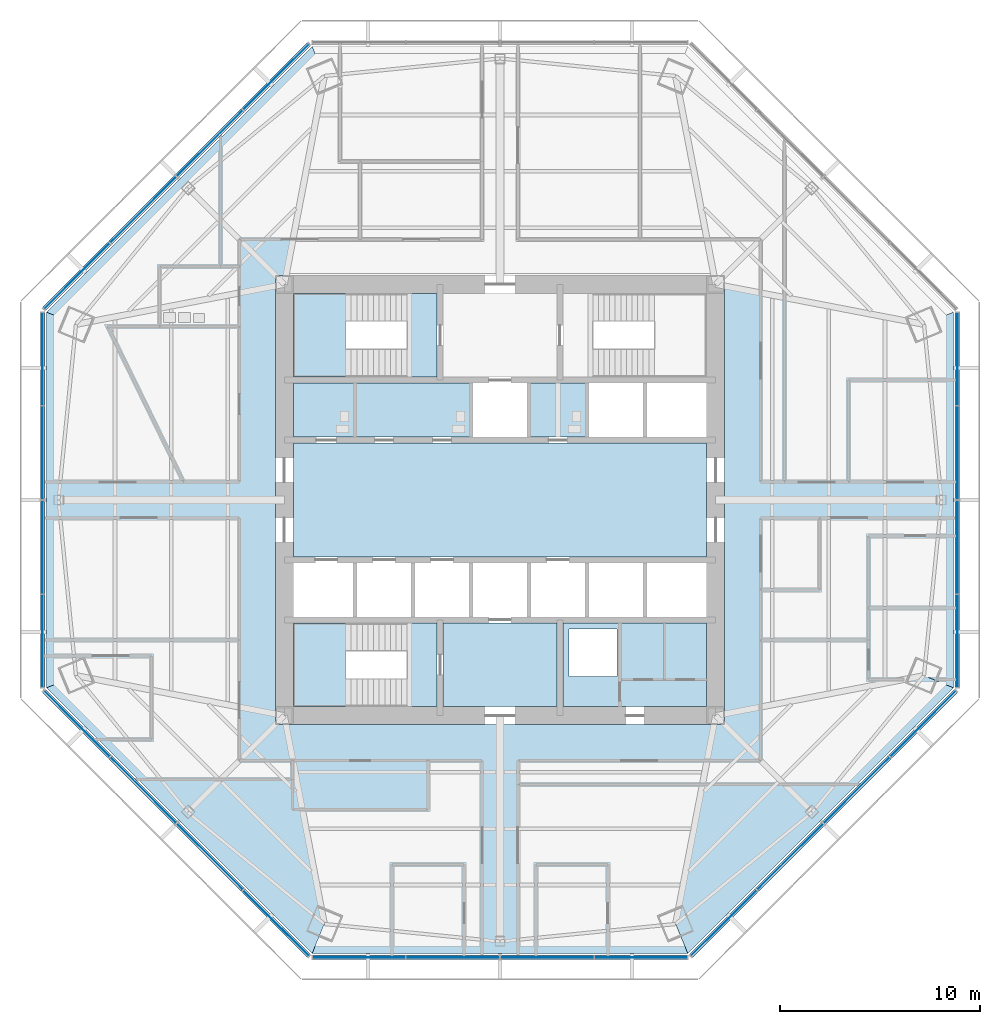
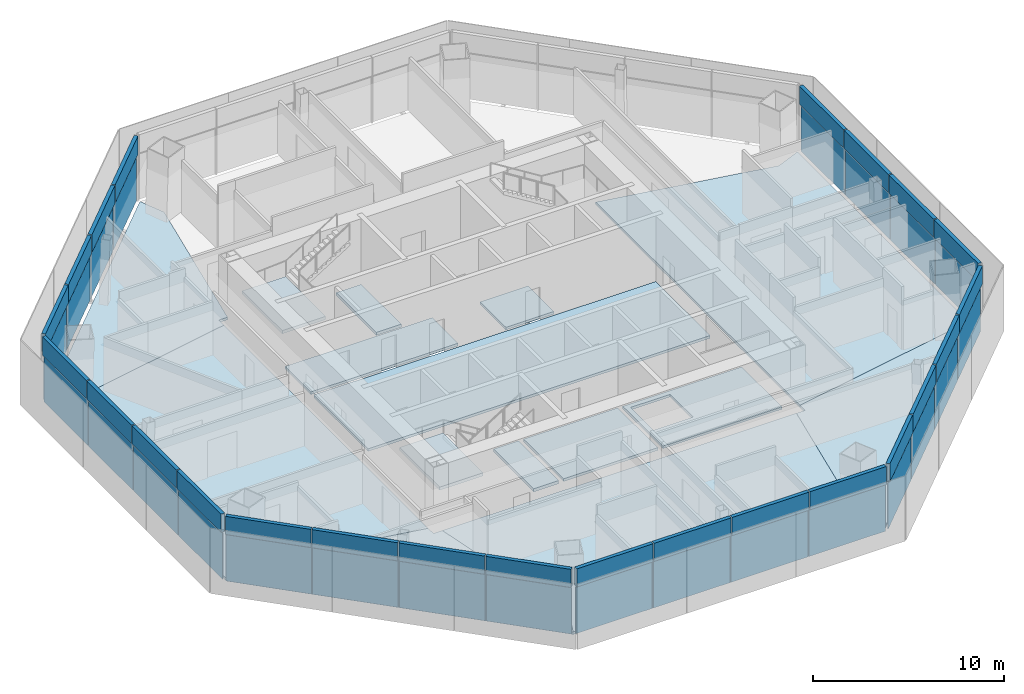
# One storey, part 7 of 14: 48 plates, 15 slabs, 8 elements without a shape of their own.
"""IFC4 building model written with IfcOpenShell, lengths in metres."""

from ifc_helpers import new_model, si_unit, direction, frame, origin, origin_2d, place, context, subcontext, project, spatial, polyline, rectangle, outline, extrude, source, transform, mapped, material, layer, layer_set, type_object, type_shapes, element, aggregate, save


model = new_model("IFC4")

# Units and contexts
model_context = context("Model", 3, precision=1e-05, world=origin(), true_north=direction((0.0, 1.0)))
body_context = subcontext(model_context, "Body", "Model", "MODEL_VIEW")
ifc_project = project(units=[si_unit("LENGTHUNIT", "METRE"), si_unit("AREAUNIT", "SQUARE_METRE"), si_unit("VOLUMEUNIT", "CUBIC_METRE"), si_unit("PLANEANGLEUNIT", "RADIAN"), si_unit("MASSUNIT", "GRAM", prefix="KILO")], contexts=[model_context])

# Site, building, storey
site_placement = place(None, origin())
site = spatial("IfcSite", under=ifc_project, at=site_placement, CompositionType="ELEMENT")
building_placement = place(site_placement, origin())
building = spatial("IfcBuilding", under=site, at=building_placement, Name="Mashrafa Tower", CompositionType="ELEMENT")
storey_placement = place(building_placement, frame((0.0, 0.0, 180.60009765625)))
storey = spatial("IfcBuildingStorey", under=building, at=storey_placement, Name="L41", CompositionType="ELEMENT", Elevation=180.60009765625)

# Slabs
ifc_material_1 = material(Name="Concrete C35/45", Category="concrete")
ifc_layer_1 = layer(ifc_material_1, 0.1650390625)
ifc_layer_set_1 = layer_set([ifc_layer_1], Name="Floor slab 165")
slab_type_1 = type_object("IfcSlabType", Name="Floor slab 165", PredefinedType="FLOOR", material=ifc_layer_set_1)
slab_1_placement = place(storey_placement, frame((0.0, 0.0, -0.1650390625)))
element("IfcSlab", 1, at=slab_1_placement, inside=storey, type_object=slab_type_1, Name="Floor slab L41 east bay", PredefinedType="FLOOR", context=body_context, shape_type="SweptSolid", body=[
    extrude(outline(polyline([(22.705810546875, -9.405029296875), (21.232421875, -8.794677734375), (11.25, -10.713623046875), (11.25, 10.713623046875), (21.232421875, 8.794677734375), (22.705810546875, 9.405029296875), (22.705810546875, -9.405029296875)])), origin(), (0.0, 0.0, 1.0), 0.1650390625),
])
slab_2_placement = place(storey_placement, frame((0.0, 0.0, -0.1650390625)))
element("IfcSlab", 2, at=slab_2_placement, inside=storey, type_object=slab_type_1, Name="Floor slab L41 north-west bay", PredefinedType="FLOOR", context=body_context, shape_type="SweptSolid", body=[
    extrude(outline(polyline([(-22.705810546875, 9.405029296875), (-9.405029296875, 22.705810546875), (-9.405029296875, 22.705810546875), (-8.794677734375, 21.232421875), (-10.713623046875, 11.25), (-11.25, 11.25), (-11.25, 10.713623046875), (-21.232421875, 8.794677734375), (-22.705810546875, 9.405029296875), (-22.705810546875, 9.405029296875)])), origin(), (0.0, 0.0, 1.0), 0.1650390625),
])
slab_3_placement = place(storey_placement, frame((0.0, 0.0, -0.1650390625)))
element("IfcSlab", 3, at=slab_3_placement, inside=storey, type_object=slab_type_1, Name="Floor slab L41 west bay", PredefinedType="FLOOR", context=body_context, shape_type="SweptSolid", body=[
    extrude(outline(polyline([(-22.705810546875, 9.405029296875), (-21.232421875, 8.794677734375), (-11.25, 10.713623046875), (-11.25, -10.713623046875), (-21.232421875, -8.794677734375), (-22.705810546875, -9.405029296875), (-22.705810546875, 9.405029296875)])), origin(), (0.0, 0.0, 1.0), 0.1650390625),
])
slab_4_placement = place(storey_placement, frame((0.0, 0.0, -0.1650390625)))
element("IfcSlab", 4, at=slab_4_placement, inside=storey, type_object=slab_type_1, Name="Floor slab L41 south-west bay", PredefinedType="FLOOR", context=body_context, shape_type="SweptSolid", body=[
    extrude(outline(polyline([(-9.405029296875, -22.705810546875), (-22.705810546875, -9.405029296875), (-22.705810546875, -9.405029296875), (-21.232421875, -8.794677734375), (-11.25, -10.713623046875), (-11.25, -11.25), (-10.713623046875, -11.25), (-8.794677734375, -21.232421875), (-9.405029296875, -22.705810546875), (-9.405029296875, -22.705810546875)])), origin(), (0.0, 0.0, 1.0), 0.1650390625),
])
slab_5_placement = place(storey_placement, frame((0.0, 0.0, -0.1650390625)))
element("IfcSlab", 5, at=slab_5_placement, inside=storey, type_object=slab_type_1, Name="Floor slab L41 south bay", PredefinedType="FLOOR", context=body_context, shape_type="SweptSolid", body=[
    extrude(outline(polyline([(-9.405029296875, -22.705810546875), (-8.794677734375, -21.232421875), (-10.713623046875, -11.25), (10.713623046875, -11.25), (8.794677734375, -21.232421875), (9.405029296875, -22.705810546875), (-9.405029296875, -22.705810546875)])), origin(), (0.0, 0.0, 1.0), 0.1650390625),
])
slab_6_placement = place(storey_placement, frame((0.0, 0.0, -0.1650390625)))
element("IfcSlab", 6, at=slab_6_placement, inside=storey, type_object=slab_type_1, Name="Floor slab L41 south-east bay", PredefinedType="FLOOR", context=body_context, shape_type="SweptSolid", body=[
    extrude(outline(polyline([(9.405029296875, -22.705810546875), (8.794677734375, -21.232421875), (10.713623046875, -11.25), (11.25, -11.25), (11.25, -10.713623046875), (21.232421875, -8.794677734375), (22.705810546875, -9.405029296875), (22.705810546875, -9.405029296875), (9.405029296875, -22.705810546875), (9.405029296875, -22.705810546875)])), origin(), (0.0, 0.0, 1.0), 0.1650390625),
])
slab_7_placement = place(storey_placement, frame((0.0, 0.0, -0.1650390625)))
element("IfcSlab", 7, at=slab_7_placement, inside=storey, type_object=slab_type_1, Name="Core floor lift hall L41", PredefinedType="FLOOR", context=body_context, shape_type="SweptSolid", body=[
    extrude(outline(polyline([(-10.35009765625, 2.85009765625), (10.35009765625, 2.85009765625), (10.35009765625, -2.85009765625), (-10.35009765625, -2.85009765625), (-10.35009765625, 2.85009765625)])), origin(), (0.0, 0.0, 1.0), 0.1650390625),
])
slab_8_placement = place(storey_placement, frame((0.0, 0.0, -0.1650390625)))
element("IfcSlab", 8, at=slab_8_placement, inside=storey, type_object=slab_type_1, Name="Core floor riser and electrical band L41", PredefinedType="FLOOR", context=body_context, shape_type="SweptSolid", body=[
    extrude(outline(polyline([(10.35009765625, -6.14990234375), (10.35009765625, -10.35009765625), (3.14990234375, -10.35009765625), (3.14990234375, -6.14990234375), (10.35009765625, -6.14990234375)]), holes=[polyline([(3.449951171875, -8.85009765625), (5.85009765625, -8.85009765625), (5.85009765625, -6.449951171875), (3.449951171875, -6.449951171875), (3.449951171875, -8.85009765625)])]), origin(), (0.0, 0.0, 1.0), 0.1650390625),
])
slab_9_placement = place(storey_placement, frame((0.0, 0.0, -0.1650390625)))
element("IfcSlab", 9, at=slab_9_placement, inside=storey, type_object=slab_type_1, Name="Core floor lift cell L41", PredefinedType="FLOOR", context=body_context, shape_type="SweptSolid", body=[
    extrude(outline(polyline([(-1.449951171875, 3.14990234375), (-10.35009765625, 3.14990234375), (-10.35009765625, 5.85009765625), (-1.449951171875, 5.85009765625), (-1.449951171875, 3.14990234375)])), origin(), (0.0, 0.0, 1.0), 0.1650390625),
])
slab_10_placement = place(storey_placement, frame((0.0, 0.0, -0.1650390625)))
element("IfcSlab", 10, at=slab_10_placement, inside=storey, type_object=slab_type_1, Name="Core floor fire-fighting lobby south L41", PredefinedType="FLOOR", context=body_context, shape_type="SweptSolid", body=[
    extrude(outline(polyline([(2.85009765625, -6.14990234375), (2.85009765625, -10.35009765625), (-2.85009765625, -10.35009765625), (-2.85009765625, -6.14990234375), (2.85009765625, -6.14990234375)])), origin(), (0.0, 0.0, 1.0), 0.1650390625),
])
slab_11_placement = place(storey_placement, frame((0.0, 0.0, -0.1650390625)))
element("IfcSlab", 11, at=slab_11_placement, inside=storey, type_object=slab_type_1, Name="Core floor lift cell L41", PredefinedType="FLOOR", context=body_context, shape_type="SweptSolid", body=[
    extrude(outline(polyline([(4.35009765625, 5.85009765625), (4.35009765625, 3.14990234375), (1.449951171875, 3.14990234375), (1.449951171875, 5.85009765625), (4.35009765625, 5.85009765625)])), origin(), (0.0, 0.0, 1.0), 0.1650390625),
])

# Stair, slabs
ifc_material_2 = material(Name="Exit stair 1400")
stair_type = type_object("IfcStairType", Name="Exit stair 1400", PredefinedType="HALF_TURN_STAIR", material=ifc_material_2)
stair_1_placement = place(storey_placement, origin())
stair_1 = element("IfcStair", 12, at=stair_1_placement, inside=storey, type_object=stair_type, Name="Stair S1 L41", PredefinedType="HALF_TURN_STAIR")
ifc_material_3 = material(Name="Concrete C32/40", Category="concrete")
ifc_layer_2 = layer(ifc_material_3, 0.199951171875)
ifc_layer_set_2 = layer_set([ifc_layer_2], Name="Stair landing 200")
slab_type_2 = type_object("IfcSlabType", Name="Stair landing 200", PredefinedType="LANDING", material=ifc_layer_set_2)
slab_12_placement = place(storey_placement, frame((0.0, 0.0, -0.2001953125)))
slab_12 = element("IfcSlab", 13, at=slab_12_placement, type_object=slab_type_2, Name="S1 landing 1", PredefinedType="LANDING", context=body_context, shape_type="SweptSolid", body=[
    extrude(outline(polyline([(-4.659912109375, 6.14990234375), (-3.14990234375, 6.14990234375), (-3.14990234375, 10.35009765625), (-4.659912109375, 10.35009765625), (-4.659912109375, 6.14990234375)])), origin(), (0.0, 0.0, 1.0), 0.2001953125),
])
slab_13_placement = place(storey_placement, frame((0.0, 0.0, 1.89990234375)))
slab_13 = element("IfcSlab", 14, at=slab_13_placement, type_object=slab_type_2, Name="S1 landing 2", PredefinedType="LANDING", context=body_context, shape_type="SweptSolid", body=[
    extrude(outline(polyline([(-10.35009765625, 6.14990234375), (-7.719970703125, 6.14990234375), (-7.719970703125, 10.35009765625), (-10.35009765625, 10.35009765625), (-10.35009765625, 6.14990234375)])), origin(), (0.0, 0.0, 1.0), 0.199951171875),
])
aggregate(stair_1, [slab_12, slab_13])

stair_2_placement = place(storey_placement, origin())
stair_2 = element("IfcStair", 15, at=stair_2_placement, inside=storey, type_object=stair_type, Name="Stair S3 L41", PredefinedType="HALF_TURN_STAIR")
slab_14_placement = place(storey_placement, frame((0.0, 0.0, -0.2001953125)))
slab_14 = element("IfcSlab", 16, at=slab_14_placement, type_object=slab_type_2, Name="S3 landing 1", PredefinedType="LANDING", context=body_context, shape_type="SweptSolid", body=[
    extrude(outline(polyline([(-4.659912109375, -10.35009765625), (-3.14990234375, -10.35009765625), (-3.14990234375, -6.14990234375), (-4.659912109375, -6.14990234375), (-4.659912109375, -10.35009765625)])), origin(), (0.0, 0.0, 1.0), 0.2001953125),
])
slab_15_placement = place(storey_placement, frame((0.0, 0.0, 1.89990234375)))
slab_15 = element("IfcSlab", 17, at=slab_15_placement, type_object=slab_type_2, Name="S3 landing 2", PredefinedType="LANDING", context=body_context, shape_type="SweptSolid", body=[
    extrude(outline(polyline([(-10.35009765625, -10.35009765625), (-7.719970703125, -10.35009765625), (-7.719970703125, -6.14990234375), (-10.35009765625, -6.14990234375), (-10.35009765625, -10.35009765625)])), origin(), (0.0, 0.0, 1.0), 0.199951171875),
])
aggregate(stair_2, [slab_14, slab_15])

# Curtain wall, plates
ifc_material_4 = material(Name="Unitised aluminium curtain wall", Category="aluminium")
curtain_wall_type = type_object("IfcCurtainWallType", Name="Office curtain wall, zone 2 CW-B 225 deep", PredefinedType="NOTDEFINED", material=ifc_material_4)
curtain_wall_1_placement = place(storey_placement, origin())
curtain_wall_1 = element("IfcCurtainWall", 18, at=curtain_wall_1_placement, inside=storey, type_object=curtain_wall_type, Name="Office curtain wall, zone 2 L41 east", PredefinedType="NOTDEFINED")
ifc_material_5 = material(Name="Insulated double glazing, low-e, neutral", Category="glass")
ifc_layer_3 = layer(ifc_material_5, 0.028076171875)
ifc_layer_set_3 = layer_set([ifc_layer_3], Name="Vision panel CW-B 28")
plate_type_1 = type_object("IfcPlateType", Name="Vision panel CW-B 28", PredefinedType="CURTAIN_PANEL", material=ifc_layer_set_3)
shared_shape_1 = source(origin(), body_context, "Body", "SweptSolid", [
    extrude(rectangle(XDim=4.6181640625, YDim=0.028076171875, at=origin_2d()), origin(), (0.0, 0.0, 1.0), 2.9599609375),
])
plate_1_placement = place(storey_placement, frame((22.90576171875, -7.05712890625, 0.0), z_axis=(0.0, 0.0, 1.0), x_axis=(0.0, 1.0, 0.0)))
plate_1 = element("IfcPlate", 19, at=plate_1_placement, type_object=plate_type_1, Name="CW-B vision panel 1", PredefinedType="CURTAIN_PANEL", context=body_context, shape_type="MappedRepresentation", body=[
    mapped(shared_shape_1, transform((0.0, 0.0, 0.0))),
])
plate_2_placement = place(storey_placement, frame((22.90576171875, 7.05712890625, 0.0), z_axis=(0.0, 0.0, 1.0), x_axis=(0.0, 1.0, 0.0)))
plate_2 = element("IfcPlate", 20, at=plate_2_placement, type_object=plate_type_1, Name="CW-B vision panel 4", PredefinedType="CURTAIN_PANEL", context=body_context, shape_type="MappedRepresentation", body=[
    mapped(shared_shape_1, transform((0.0, 0.0, 0.0))),
])

curtain_wall_2_placement = place(storey_placement, origin())
curtain_wall_2 = element("IfcCurtainWall", 21, at=curtain_wall_2_placement, inside=storey, type_object=curtain_wall_type, Name="Office curtain wall, zone 2 L41 north-west", PredefinedType="NOTDEFINED")
plate_3_placement = place(storey_placement, frame((-11.20654296875, 21.18701171875, 0.0), z_axis=(0.0, 0.0, 1.0), x_axis=(-0.707106781187, -0.707106781187, 0.0)))
plate_3 = element("IfcPlate", 22, at=plate_3_placement, type_object=plate_type_1, Name="CW-B vision panel 1", PredefinedType="CURTAIN_PANEL", context=body_context, shape_type="MappedRepresentation", body=[
    mapped(shared_shape_1, transform((0.0, 0.0, 0.0))),
])
plate_4_placement = place(storey_placement, frame((-21.18701171875, 11.20654296875, 0.0), z_axis=(0.0, 0.0, 1.0), x_axis=(-0.707106781187, -0.707106781187, 0.0)))
plate_4 = element("IfcPlate", 23, at=plate_4_placement, type_object=plate_type_1, Name="CW-B vision panel 4", PredefinedType="CURTAIN_PANEL", context=body_context, shape_type="MappedRepresentation", body=[
    mapped(shared_shape_1, transform((0.0, 0.0, 0.0))),
])

curtain_wall_3_placement = place(storey_placement, origin())
curtain_wall_3 = element("IfcCurtainWall", 24, at=curtain_wall_3_placement, inside=storey, type_object=curtain_wall_type, Name="Office curtain wall, zone 2 L41 west", PredefinedType="NOTDEFINED")
plate_5_placement = place(storey_placement, frame((-22.90576171875, 7.05712890625, 0.0), z_axis=(0.0, 0.0, 1.0), x_axis=(0.0, -1.0, 0.0)))
plate_5 = element("IfcPlate", 25, at=plate_5_placement, type_object=plate_type_1, Name="CW-B vision panel 1", PredefinedType="CURTAIN_PANEL", context=body_context, shape_type="MappedRepresentation", body=[
    mapped(shared_shape_1, transform((0.0, 0.0, 0.0))),
])
plate_6_placement = place(storey_placement, frame((-22.90576171875, -7.05712890625, 0.0), z_axis=(0.0, 0.0, 1.0), x_axis=(0.0, -1.0, 0.0)))
plate_6 = element("IfcPlate", 26, at=plate_6_placement, type_object=plate_type_1, Name="CW-B vision panel 4", PredefinedType="CURTAIN_PANEL", context=body_context, shape_type="MappedRepresentation", body=[
    mapped(shared_shape_1, transform((0.0, 0.0, 0.0))),
])

curtain_wall_4_placement = place(storey_placement, origin())
curtain_wall_4 = element("IfcCurtainWall", 27, at=curtain_wall_4_placement, inside=storey, type_object=curtain_wall_type, Name="Office curtain wall, zone 2 L41 south-west", PredefinedType="NOTDEFINED")
plate_7_placement = place(storey_placement, frame((-21.18701171875, -11.20654296875, 0.0), z_axis=(0.0, 0.0, 1.0), x_axis=(0.707106781187, -0.707106781187, 0.0)))
plate_7 = element("IfcPlate", 28, at=plate_7_placement, type_object=plate_type_1, Name="CW-B vision panel 1", PredefinedType="CURTAIN_PANEL", context=body_context, shape_type="MappedRepresentation", body=[
    mapped(shared_shape_1, transform((0.0, 0.0, 0.0))),
])
plate_8_placement = place(storey_placement, frame((-11.20654296875, -21.18701171875, 0.0), z_axis=(0.0, 0.0, 1.0), x_axis=(0.707106781187, -0.707106781187, 0.0)))
plate_8 = element("IfcPlate", 29, at=plate_8_placement, type_object=plate_type_1, Name="CW-B vision panel 4", PredefinedType="CURTAIN_PANEL", context=body_context, shape_type="MappedRepresentation", body=[
    mapped(shared_shape_1, transform((0.0, 0.0, 0.0))),
])

curtain_wall_5_placement = place(storey_placement, origin())
curtain_wall_5 = element("IfcCurtainWall", 30, at=curtain_wall_5_placement, inside=storey, type_object=curtain_wall_type, Name="Office curtain wall, zone 2 L41 south", PredefinedType="NOTDEFINED")
plate_9_placement = place(storey_placement, frame((-7.05712890625, -22.90576171875, 0.0), z_axis=(0.0, 0.0, 1.0), x_axis=(1.0, 0.0, 0.0)))
plate_9 = element("IfcPlate", 31, at=plate_9_placement, type_object=plate_type_1, Name="CW-B vision panel 1", PredefinedType="CURTAIN_PANEL", context=body_context, shape_type="MappedRepresentation", body=[
    mapped(shared_shape_1, transform((0.0, 0.0, 0.0))),
])
plate_10_placement = place(storey_placement, frame((7.05712890625, -22.90576171875, 0.0), z_axis=(0.0, 0.0, 1.0), x_axis=(1.0, 0.0, 0.0)))
plate_10 = element("IfcPlate", 32, at=plate_10_placement, type_object=plate_type_1, Name="CW-B vision panel 4", PredefinedType="CURTAIN_PANEL", context=body_context, shape_type="MappedRepresentation", body=[
    mapped(shared_shape_1, transform((0.0, 0.0, 0.0))),
])

curtain_wall_6_placement = place(storey_placement, origin())
curtain_wall_6 = element("IfcCurtainWall", 33, at=curtain_wall_6_placement, inside=storey, type_object=curtain_wall_type, Name="Office curtain wall, zone 2 L41 south-east", PredefinedType="NOTDEFINED")
plate_11_placement = place(storey_placement, frame((11.20654296875, -21.18701171875, 0.0), z_axis=(0.0, 0.0, 1.0), x_axis=(0.707106781187, 0.707106781187, 0.0)))
plate_11 = element("IfcPlate", 34, at=plate_11_placement, type_object=plate_type_1, Name="CW-B vision panel 1", PredefinedType="CURTAIN_PANEL", context=body_context, shape_type="MappedRepresentation", body=[
    mapped(shared_shape_1, transform((0.0, 0.0, 0.0))),
])
plate_12_placement = place(storey_placement, frame((21.18701171875, -11.20654296875, 0.0), z_axis=(0.0, 0.0, 1.0), x_axis=(0.707106781187, 0.707106781187, 0.0)))
plate_12 = element("IfcPlate", 35, at=plate_12_placement, type_object=plate_type_1, Name="CW-B vision panel 4", PredefinedType="CURTAIN_PANEL", context=body_context, shape_type="MappedRepresentation", body=[
    mapped(shared_shape_1, transform((0.0, 0.0, 0.0))),
])

# Plate
ifc_material_6 = material(Name="Insulated aluminium spandrel panel", Category="aluminium")
ifc_layer_4 = layer(ifc_material_6, 0.219970703125)
ifc_layer_set_4 = layer_set([ifc_layer_4], Name="Spandrel panel CW-B 220")
plate_type_2 = type_object("IfcPlateType", Name="Spandrel panel CW-B 220", PredefinedType="CURTAIN_PANEL", material=ifc_layer_set_4)
shared_shape_2 = source(origin(), body_context, "Body", "SweptSolid", [
    extrude(rectangle(XDim=4.6181640625, YDim=0.219970703125, at=origin_2d()), origin(), (0.0, 0.0, 1.0), 1.159912109375),
])
plate_13_placement = place(storey_placement, frame((22.90576171875, -7.05712890625, 3.0400390625), z_axis=(0.0, 0.0, 1.0), x_axis=(0.0, 1.0, 0.0)))
plate_13 = element("IfcPlate", 36, at=plate_13_placement, type_object=plate_type_2, Name="CW-B spandrel panel 1", PredefinedType="CURTAIN_PANEL", context=body_context, shape_type="MappedRepresentation", body=[
    mapped(shared_shape_2, transform((0.0, 0.0, 0.0))),
])

plate_14_placement = place(storey_placement, frame((22.90576171875, 7.05712890625, 3.0400390625), z_axis=(0.0, 0.0, 1.0), x_axis=(0.0, 1.0, 0.0)))
plate_14 = element("IfcPlate", 37, at=plate_14_placement, type_object=plate_type_2, Name="CW-B spandrel panel 4", PredefinedType="CURTAIN_PANEL", context=body_context, shape_type="MappedRepresentation", body=[
    mapped(shared_shape_2, transform((0.0, 0.0, 0.0))),
])

plate_15_placement = place(storey_placement, frame((-11.20654296875, 21.18701171875, 3.0400390625), z_axis=(0.0, 0.0, 1.0), x_axis=(-0.707106781187, -0.707106781187, 0.0)))
plate_15 = element("IfcPlate", 38, at=plate_15_placement, type_object=plate_type_2, Name="CW-B spandrel panel 1", PredefinedType="CURTAIN_PANEL", context=body_context, shape_type="MappedRepresentation", body=[
    mapped(shared_shape_2, transform((0.0, 0.0, 0.0))),
])

plate_16_placement = place(storey_placement, frame((-21.18701171875, 11.20654296875, 3.0400390625), z_axis=(0.0, 0.0, 1.0), x_axis=(-0.707106781187, -0.707106781187, 0.0)))
plate_16 = element("IfcPlate", 39, at=plate_16_placement, type_object=plate_type_2, Name="CW-B spandrel panel 4", PredefinedType="CURTAIN_PANEL", context=body_context, shape_type="MappedRepresentation", body=[
    mapped(shared_shape_2, transform((0.0, 0.0, 0.0))),
])

plate_17_placement = place(storey_placement, frame((-22.90576171875, 7.05712890625, 3.0400390625), z_axis=(0.0, 0.0, 1.0), x_axis=(0.0, -1.0, 0.0)))
plate_17 = element("IfcPlate", 40, at=plate_17_placement, type_object=plate_type_2, Name="CW-B spandrel panel 1", PredefinedType="CURTAIN_PANEL", context=body_context, shape_type="MappedRepresentation", body=[
    mapped(shared_shape_2, transform((0.0, 0.0, 0.0))),
])

plate_18_placement = place(storey_placement, frame((-22.90576171875, -7.05712890625, 3.0400390625), z_axis=(0.0, 0.0, 1.0), x_axis=(0.0, -1.0, 0.0)))
plate_18 = element("IfcPlate", 41, at=plate_18_placement, type_object=plate_type_2, Name="CW-B spandrel panel 4", PredefinedType="CURTAIN_PANEL", context=body_context, shape_type="MappedRepresentation", body=[
    mapped(shared_shape_2, transform((0.0, 0.0, 0.0))),
])

plate_19_placement = place(storey_placement, frame((-21.18701171875, -11.20654296875, 3.0400390625), z_axis=(0.0, 0.0, 1.0), x_axis=(0.707106781187, -0.707106781187, 0.0)))
plate_19 = element("IfcPlate", 42, at=plate_19_placement, type_object=plate_type_2, Name="CW-B spandrel panel 1", PredefinedType="CURTAIN_PANEL", context=body_context, shape_type="MappedRepresentation", body=[
    mapped(shared_shape_2, transform((0.0, 0.0, 0.0))),
])

plate_20_placement = place(storey_placement, frame((-11.20654296875, -21.18701171875, 3.0400390625), z_axis=(0.0, 0.0, 1.0), x_axis=(0.707106781187, -0.707106781187, 0.0)))
plate_20 = element("IfcPlate", 43, at=plate_20_placement, type_object=plate_type_2, Name="CW-B spandrel panel 4", PredefinedType="CURTAIN_PANEL", context=body_context, shape_type="MappedRepresentation", body=[
    mapped(shared_shape_2, transform((0.0, 0.0, 0.0))),
])

plate_21_placement = place(storey_placement, frame((-7.05712890625, -22.90576171875, 3.0400390625), z_axis=(0.0, 0.0, 1.0), x_axis=(1.0, 0.0, 0.0)))
plate_21 = element("IfcPlate", 44, at=plate_21_placement, type_object=plate_type_2, Name="CW-B spandrel panel 1", PredefinedType="CURTAIN_PANEL", context=body_context, shape_type="MappedRepresentation", body=[
    mapped(shared_shape_2, transform((0.0, 0.0, 0.0))),
])

plate_22_placement = place(storey_placement, frame((7.05712890625, -22.90576171875, 3.0400390625), z_axis=(0.0, 0.0, 1.0), x_axis=(1.0, 0.0, 0.0)))
plate_22 = element("IfcPlate", 45, at=plate_22_placement, type_object=plate_type_2, Name="CW-B spandrel panel 4", PredefinedType="CURTAIN_PANEL", context=body_context, shape_type="MappedRepresentation", body=[
    mapped(shared_shape_2, transform((0.0, 0.0, 0.0))),
])

plate_23_placement = place(storey_placement, frame((11.20654296875, -21.18701171875, 3.0400390625), z_axis=(0.0, 0.0, 1.0), x_axis=(0.707106781187, 0.707106781187, 0.0)))
plate_23 = element("IfcPlate", 46, at=plate_23_placement, type_object=plate_type_2, Name="CW-B spandrel panel 1", PredefinedType="CURTAIN_PANEL", context=body_context, shape_type="MappedRepresentation", body=[
    mapped(shared_shape_2, transform((0.0, 0.0, 0.0))),
])

plate_24_placement = place(storey_placement, frame((21.18701171875, -11.20654296875, 3.0400390625), z_axis=(0.0, 0.0, 1.0), x_axis=(0.707106781187, 0.707106781187, 0.0)))
plate_24 = element("IfcPlate", 47, at=plate_24_placement, type_object=plate_type_2, Name="CW-B spandrel panel 4", PredefinedType="CURTAIN_PANEL", context=body_context, shape_type="MappedRepresentation", body=[
    mapped(shared_shape_2, transform((0.0, 0.0, 0.0))),
])

shared_shape_3 = source(origin(), body_context, "Body", "SweptSolid", [
    extrude(rectangle(XDim=4.650634765625, YDim=0.028076171875, at=origin_2d()), origin(), (0.0, 0.0, 1.0), 2.9599609375),
])
type_shapes(plate_type_1, [shared_shape_1, shared_shape_3])
plate_25_placement = place(storey_placement, frame((22.90576171875, -2.35791015625, 0.0), z_axis=(0.0, 0.0, 1.0), x_axis=(0.0, 1.0, 0.0)))
plate_25 = element("IfcPlate", 48, at=plate_25_placement, type_object=plate_type_1, Name="CW-B vision panel 2", PredefinedType="CURTAIN_PANEL", context=body_context, shape_type="MappedRepresentation", body=[
    mapped(shared_shape_3, transform((0.0, 0.0, 0.0))),
])

plate_26_placement = place(storey_placement, frame((22.90576171875, 2.35791015625, 0.0), z_axis=(0.0, 0.0, 1.0), x_axis=(0.0, 1.0, 0.0)))
plate_26 = element("IfcPlate", 49, at=plate_26_placement, type_object=plate_type_1, Name="CW-B vision panel 3", PredefinedType="CURTAIN_PANEL", context=body_context, shape_type="MappedRepresentation", body=[
    mapped(shared_shape_3, transform((0.0, 0.0, 0.0))),
])

plate_27_placement = place(storey_placement, frame((-14.529541015625, 17.864013671875, 0.0), z_axis=(0.0, 0.0, 1.0), x_axis=(-0.707106781187, -0.707106781187, 0.0)))
plate_27 = element("IfcPlate", 50, at=plate_27_placement, type_object=plate_type_1, Name="CW-B vision panel 2", PredefinedType="CURTAIN_PANEL", context=body_context, shape_type="MappedRepresentation", body=[
    mapped(shared_shape_3, transform((0.0, 0.0, 0.0))),
])

plate_28_placement = place(storey_placement, frame((-17.864013671875, 14.529541015625, 0.0), z_axis=(0.0, 0.0, 1.0), x_axis=(-0.707106781187, -0.707106781187, 0.0)))
plate_28 = element("IfcPlate", 51, at=plate_28_placement, type_object=plate_type_1, Name="CW-B vision panel 3", PredefinedType="CURTAIN_PANEL", context=body_context, shape_type="MappedRepresentation", body=[
    mapped(shared_shape_3, transform((0.0, 0.0, 0.0))),
])

plate_29_placement = place(storey_placement, frame((-22.90576171875, 2.35791015625, 0.0), z_axis=(0.0, 0.0, 1.0), x_axis=(0.0, -1.0, 0.0)))
plate_29 = element("IfcPlate", 52, at=plate_29_placement, type_object=plate_type_1, Name="CW-B vision panel 2", PredefinedType="CURTAIN_PANEL", context=body_context, shape_type="MappedRepresentation", body=[
    mapped(shared_shape_3, transform((0.0, 0.0, 0.0))),
])

plate_30_placement = place(storey_placement, frame((-22.90576171875, -2.35791015625, 0.0), z_axis=(0.0, 0.0, 1.0), x_axis=(0.0, -1.0, 0.0)))
plate_30 = element("IfcPlate", 53, at=plate_30_placement, type_object=plate_type_1, Name="CW-B vision panel 3", PredefinedType="CURTAIN_PANEL", context=body_context, shape_type="MappedRepresentation", body=[
    mapped(shared_shape_3, transform((0.0, 0.0, 0.0))),
])

plate_31_placement = place(storey_placement, frame((-17.864013671875, -14.529541015625, 0.0), z_axis=(0.0, 0.0, 1.0), x_axis=(0.707106781187, -0.707106781187, 0.0)))
plate_31 = element("IfcPlate", 54, at=plate_31_placement, type_object=plate_type_1, Name="CW-B vision panel 2", PredefinedType="CURTAIN_PANEL", context=body_context, shape_type="MappedRepresentation", body=[
    mapped(shared_shape_3, transform((0.0, 0.0, 0.0))),
])

plate_32_placement = place(storey_placement, frame((-14.529541015625, -17.864013671875, 0.0), z_axis=(0.0, 0.0, 1.0), x_axis=(0.707106781187, -0.707106781187, 0.0)))
plate_32 = element("IfcPlate", 55, at=plate_32_placement, type_object=plate_type_1, Name="CW-B vision panel 3", PredefinedType="CURTAIN_PANEL", context=body_context, shape_type="MappedRepresentation", body=[
    mapped(shared_shape_3, transform((0.0, 0.0, 0.0))),
])

plate_33_placement = place(storey_placement, frame((-2.35791015625, -22.90576171875, 0.0), z_axis=(0.0, 0.0, 1.0), x_axis=(1.0, 0.0, 0.0)))
plate_33 = element("IfcPlate", 56, at=plate_33_placement, type_object=plate_type_1, Name="CW-B vision panel 2", PredefinedType="CURTAIN_PANEL", context=body_context, shape_type="MappedRepresentation", body=[
    mapped(shared_shape_3, transform((0.0, 0.0, 0.0))),
])

plate_34_placement = place(storey_placement, frame((2.35791015625, -22.90576171875, 0.0), z_axis=(0.0, 0.0, 1.0), x_axis=(1.0, 0.0, 0.0)))
plate_34 = element("IfcPlate", 57, at=plate_34_placement, type_object=plate_type_1, Name="CW-B vision panel 3", PredefinedType="CURTAIN_PANEL", context=body_context, shape_type="MappedRepresentation", body=[
    mapped(shared_shape_3, transform((0.0, 0.0, 0.0))),
])

plate_35_placement = place(storey_placement, frame((14.529541015625, -17.864013671875, 0.0), z_axis=(0.0, 0.0, 1.0), x_axis=(0.707106781187, 0.707106781187, 0.0)))
plate_35 = element("IfcPlate", 58, at=plate_35_placement, type_object=plate_type_1, Name="CW-B vision panel 2", PredefinedType="CURTAIN_PANEL", context=body_context, shape_type="MappedRepresentation", body=[
    mapped(shared_shape_3, transform((0.0, 0.0, 0.0))),
])

plate_36_placement = place(storey_placement, frame((17.864013671875, -14.529541015625, 0.0), z_axis=(0.0, 0.0, 1.0), x_axis=(0.707106781187, 0.707106781187, 0.0)))
plate_36 = element("IfcPlate", 59, at=plate_36_placement, type_object=plate_type_1, Name="CW-B vision panel 3", PredefinedType="CURTAIN_PANEL", context=body_context, shape_type="MappedRepresentation", body=[
    mapped(shared_shape_3, transform((0.0, 0.0, 0.0))),
])

shared_shape_4 = source(origin(), body_context, "Body", "SweptSolid", [
    extrude(rectangle(XDim=4.650634765625, YDim=0.219970703125, at=origin_2d()), origin(), (0.0, 0.0, 1.0), 1.159912109375),
])
type_shapes(plate_type_2, [shared_shape_2, shared_shape_4])
plate_37_placement = place(storey_placement, frame((22.90576171875, -2.35791015625, 3.0400390625), z_axis=(0.0, 0.0, 1.0), x_axis=(0.0, 1.0, 0.0)))
plate_37 = element("IfcPlate", 60, at=plate_37_placement, type_object=plate_type_2, Name="CW-B spandrel panel 2", PredefinedType="CURTAIN_PANEL", context=body_context, shape_type="MappedRepresentation", body=[
    mapped(shared_shape_4, transform((0.0, 0.0, 0.0))),
])

plate_38_placement = place(storey_placement, frame((22.90576171875, 2.35791015625, 3.0400390625), z_axis=(0.0, 0.0, 1.0), x_axis=(0.0, 1.0, 0.0)))
plate_38 = element("IfcPlate", 61, at=plate_38_placement, type_object=plate_type_2, Name="CW-B spandrel panel 3", PredefinedType="CURTAIN_PANEL", context=body_context, shape_type="MappedRepresentation", body=[
    mapped(shared_shape_4, transform((0.0, 0.0, 0.0))),
])

aggregate(curtain_wall_1, [plate_1, plate_13, plate_25, plate_37, plate_26, plate_38, plate_2, plate_14])

plate_39_placement = place(storey_placement, frame((-14.529541015625, 17.864013671875, 3.0400390625), z_axis=(0.0, 0.0, 1.0), x_axis=(-0.707106781187, -0.707106781187, 0.0)))
plate_39 = element("IfcPlate", 62, at=plate_39_placement, type_object=plate_type_2, Name="CW-B spandrel panel 2", PredefinedType="CURTAIN_PANEL", context=body_context, shape_type="MappedRepresentation", body=[
    mapped(shared_shape_4, transform((0.0, 0.0, 0.0))),
])

plate_40_placement = place(storey_placement, frame((-17.864013671875, 14.529541015625, 3.0400390625), z_axis=(0.0, 0.0, 1.0), x_axis=(-0.707106781187, -0.707106781187, 0.0)))
plate_40 = element("IfcPlate", 63, at=plate_40_placement, type_object=plate_type_2, Name="CW-B spandrel panel 3", PredefinedType="CURTAIN_PANEL", context=body_context, shape_type="MappedRepresentation", body=[
    mapped(shared_shape_4, transform((0.0, 0.0, 0.0))),
])

aggregate(curtain_wall_2, [plate_3, plate_15, plate_27, plate_39, plate_28, plate_40, plate_4, plate_16])

plate_41_placement = place(storey_placement, frame((-22.90576171875, 2.35791015625, 3.0400390625), z_axis=(0.0, 0.0, 1.0), x_axis=(0.0, -1.0, 0.0)))
plate_41 = element("IfcPlate", 64, at=plate_41_placement, type_object=plate_type_2, Name="CW-B spandrel panel 2", PredefinedType="CURTAIN_PANEL", context=body_context, shape_type="MappedRepresentation", body=[
    mapped(shared_shape_4, transform((0.0, 0.0, 0.0))),
])

plate_42_placement = place(storey_placement, frame((-22.90576171875, -2.35791015625, 3.0400390625), z_axis=(0.0, 0.0, 1.0), x_axis=(0.0, -1.0, 0.0)))
plate_42 = element("IfcPlate", 65, at=plate_42_placement, type_object=plate_type_2, Name="CW-B spandrel panel 3", PredefinedType="CURTAIN_PANEL", context=body_context, shape_type="MappedRepresentation", body=[
    mapped(shared_shape_4, transform((0.0, 0.0, 0.0))),
])

aggregate(curtain_wall_3, [plate_5, plate_17, plate_29, plate_41, plate_30, plate_42, plate_6, plate_18])

plate_43_placement = place(storey_placement, frame((-17.864013671875, -14.529541015625, 3.0400390625), z_axis=(0.0, 0.0, 1.0), x_axis=(0.707106781187, -0.707106781187, 0.0)))
plate_43 = element("IfcPlate", 66, at=plate_43_placement, type_object=plate_type_2, Name="CW-B spandrel panel 2", PredefinedType="CURTAIN_PANEL", context=body_context, shape_type="MappedRepresentation", body=[
    mapped(shared_shape_4, transform((0.0, 0.0, 0.0))),
])

plate_44_placement = place(storey_placement, frame((-14.529541015625, -17.864013671875, 3.0400390625), z_axis=(0.0, 0.0, 1.0), x_axis=(0.707106781187, -0.707106781187, 0.0)))
plate_44 = element("IfcPlate", 67, at=plate_44_placement, type_object=plate_type_2, Name="CW-B spandrel panel 3", PredefinedType="CURTAIN_PANEL", context=body_context, shape_type="MappedRepresentation", body=[
    mapped(shared_shape_4, transform((0.0, 0.0, 0.0))),
])

aggregate(curtain_wall_4, [plate_7, plate_19, plate_31, plate_43, plate_32, plate_44, plate_8, plate_20])

plate_45_placement = place(storey_placement, frame((-2.35791015625, -22.90576171875, 3.0400390625), z_axis=(0.0, 0.0, 1.0), x_axis=(1.0, 0.0, 0.0)))
plate_45 = element("IfcPlate", 68, at=plate_45_placement, type_object=plate_type_2, Name="CW-B spandrel panel 2", PredefinedType="CURTAIN_PANEL", context=body_context, shape_type="MappedRepresentation", body=[
    mapped(shared_shape_4, transform((0.0, 0.0, 0.0))),
])

plate_46_placement = place(storey_placement, frame((2.35791015625, -22.90576171875, 3.0400390625), z_axis=(0.0, 0.0, 1.0), x_axis=(1.0, 0.0, 0.0)))
plate_46 = element("IfcPlate", 69, at=plate_46_placement, type_object=plate_type_2, Name="CW-B spandrel panel 3", PredefinedType="CURTAIN_PANEL", context=body_context, shape_type="MappedRepresentation", body=[
    mapped(shared_shape_4, transform((0.0, 0.0, 0.0))),
])

aggregate(curtain_wall_5, [plate_9, plate_21, plate_33, plate_45, plate_34, plate_46, plate_10, plate_22])

plate_47_placement = place(storey_placement, frame((14.529541015625, -17.864013671875, 3.0400390625), z_axis=(0.0, 0.0, 1.0), x_axis=(0.707106781187, 0.707106781187, 0.0)))
plate_47 = element("IfcPlate", 70, at=plate_47_placement, type_object=plate_type_2, Name="CW-B spandrel panel 2", PredefinedType="CURTAIN_PANEL", context=body_context, shape_type="MappedRepresentation", body=[
    mapped(shared_shape_4, transform((0.0, 0.0, 0.0))),
])

plate_48_placement = place(storey_placement, frame((17.864013671875, -14.529541015625, 3.0400390625), z_axis=(0.0, 0.0, 1.0), x_axis=(0.707106781187, 0.707106781187, 0.0)))
plate_48 = element("IfcPlate", 71, at=plate_48_placement, type_object=plate_type_2, Name="CW-B spandrel panel 3", PredefinedType="CURTAIN_PANEL", context=body_context, shape_type="MappedRepresentation", body=[
    mapped(shared_shape_4, transform((0.0, 0.0, 0.0))),
])

aggregate(curtain_wall_6, [plate_11, plate_23, plate_35, plate_47, plate_36, plate_48, plate_12, plate_24])

save(model, "model.ifc")
